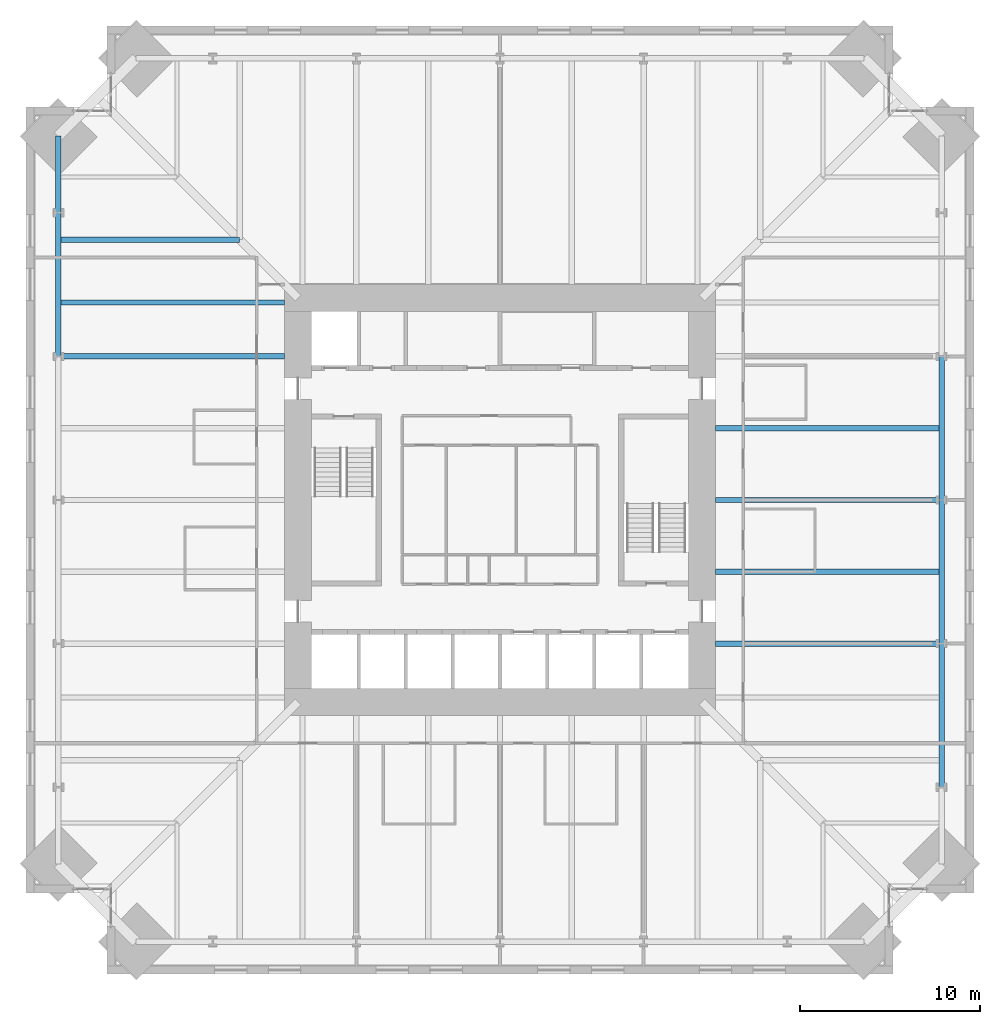
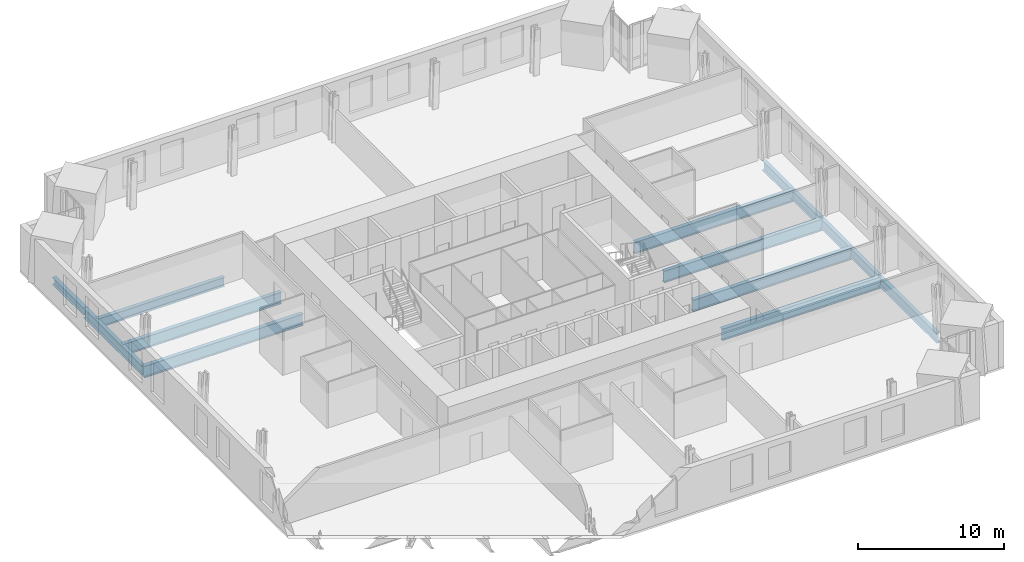
# One storey, part 5 of 18: 12 beams.
"""IFC4 building model written with IfcOpenShell, lengths in metres."""

from ifc_helpers import new_model, si_unit, direction, frame, origin, origin_2d, place, context, subcontext, project, spatial, i_section, extrude, material, material_profile, profile_set, type_object, element, save


model = new_model("IFC4")

# Units and contexts
model_context = context("Model", 3, precision=1e-05, world=origin(), true_north=direction((0.0, 1.0)))
body_context = subcontext(model_context, "Body", "Model", "MODEL_VIEW")
ifc_project = project(units=[si_unit("LENGTHUNIT", "METRE"), si_unit("AREAUNIT", "SQUARE_METRE"), si_unit("VOLUMEUNIT", "CUBIC_METRE"), si_unit("PLANEANGLEUNIT", "RADIAN"), si_unit("MASSUNIT", "GRAM", prefix="KILO")], contexts=[model_context])

# Site, building, storey
site_placement = place(None, origin())
site = spatial("IfcSite", under=ifc_project, at=site_placement, CompositionType="ELEMENT")
building_placement = place(site_placement, origin())
building = spatial("IfcBuilding", under=site, at=building_placement, Name="Peilmerk Tower", CompositionType="ELEMENT")
storey_placement = place(building_placement, frame((0.0, 0.0, 155.800048828125)))
storey = spatial("IfcBuildingStorey", under=building, at=storey_placement, Name="L32", CompositionType="ELEMENT", Elevation=155.800048828125)

# Beams
ifc_material = material(Name="Steel S355", Category="steel")
ifc_material_profile_1 = material_profile(ifc_material, i_section(OverallWidth=0.300048828125, OverallDepth=0.989990234375, WebThickness=0.0166015625, FlangeThickness=0.031005859375, at=origin_2d()), Name="HEA 1000")
ifc_profile_set_1 = profile_set([ifc_material_profile_1], Name="Steel S355")
beam_type_1 = type_object("IfcBeamType", Name="B14 HEA 1000 floor girder", PredefinedType="BEAM", material=ifc_profile_set_1)
for number, where, z_axis, x_axis, name in (
    (1, (12.0, -8.0, -0.6650390625), (1.0, 0.0, 0.0), (0.0, 1.0, 0.0), "Floor beam L32"),
    (2, (12.0, -4.0, -0.6650390625), (1.0, 0.0, 0.0), (0.0, 1.0, 0.0), "Floor beam L32"),
    (3, (12.0, 0.0, -0.6650390625), (1.0, 0.0, 0.0), (0.0, 1.0, 0.0), "Floor beam L32"),
    (4, (12.0, 4.0, -0.6650390625), (1.0, 0.0, 0.0), (0.0, 1.0, 0.0), "Floor beam L32"),
    (5, (-12.0, 11.0, -0.6650390625), (-1.0, 0.0, 0.0), (0.0, -1.0, 0.0), "Floor beam L32"),
    (6, (-12.0, 8.0, -0.6650390625), (-1.0, 0.0, 0.0), (0.0, -1.0, 0.0), "Floor beam L32"),
):
    element("IfcBeam", number, at=place(storey_placement, frame(where, z_axis=z_axis, x_axis=x_axis)), inside=storey, type_object=beam_type_1, Name=name, PredefinedType="BEAM", context=body_context, shape_type="SweptSolid", body=[
        extrude(i_section(OverallWidth=0.300048828125, OverallDepth=0.989990234375, WebThickness=0.0166015625, FlangeThickness=0.031005859375, at=origin_2d()), origin(), (0.0, 0.0, 1.0), 12.614501953125),
    ])
ifc_material_profile_2 = material_profile(ifc_material, i_section(OverallWidth=0.302978515625, OverallDepth=0.81396484375, WebThickness=0.02099609375, FlangeThickness=0.0400390625, at=origin_2d()), Name="HEM 800")
ifc_profile_set_2 = profile_set([ifc_material_profile_2], Name="Steel S355")
beam_type_2 = type_object("IfcBeamType", Name="B15 HEM 800 edge beam", PredefinedType="SPANDREL", material=ifc_profile_set_2)
for number, where, z_axis, x_axis, name in (
    (7, (24.614501953125, -16.0, -0.5771484375), (0.0, 1.0, 0.0), (-1.0, 0.0, 0.0), "Edge beam L32"),
    (8, (24.614501953125, -8.0, -0.5771484375), (0.0, 1.0, 0.0), (-1.0, 0.0, 0.0), "Edge beam L32"),
    (9, (24.614501953125, 0.0, -0.5771484375), (0.0, 1.0, 0.0), (-1.0, 0.0, 0.0), "Edge beam L32"),
    (10, (-24.614501953125, 16.0, -0.5771484375), (0.0, -1.0, 0.0), (1.0, 0.0, 0.0), "Edge beam L32"),
):
    element("IfcBeam", number, at=place(storey_placement, frame(where, z_axis=z_axis, x_axis=x_axis)), inside=storey, type_object=beam_type_2, Name=name, PredefinedType="SPANDREL", context=body_context, shape_type="SweptSolid", body=[
        extrude(i_section(OverallWidth=0.302978515625, OverallDepth=0.81396484375, WebThickness=0.02099609375, FlangeThickness=0.0400390625, at=origin_2d()), origin(), (0.0, 0.0, 1.0), 8.0),
    ])
ifc_material_profile_3 = material_profile(ifc_material, i_section(OverallWidth=0.300048828125, OverallDepth=0.7900390625, WebThickness=0.014892578125, FlangeThickness=0.028076171875, at=origin_2d()), Name="HEA 800")
ifc_profile_set_3 = profile_set([ifc_material_profile_3], Name="Steel S355")
beam_type_3 = type_object("IfcBeamType", Name="B3 HEA 800 floor beam", PredefinedType="BEAM", material=ifc_profile_set_3)
beam_1_placement = place(storey_placement, frame((-14.5, 14.5, -0.56494140625), z_axis=(-1.0, 0.0, 0.0), x_axis=(0.0, -1.0, 0.0)))
element("IfcBeam", 11, at=beam_1_placement, inside=storey, type_object=beam_type_3, Name="Floor beam L32", PredefinedType="BEAM", context=body_context, shape_type="SweptSolid", body=[
    extrude(i_section(OverallWidth=0.300048828125, OverallDepth=0.7900390625, WebThickness=0.014892578125, FlangeThickness=0.028076171875, at=origin_2d()), origin(), (0.0, 0.0, 1.0), 10.114501953125),
])
ifc_material_profile_4 = material_profile(ifc_material, i_section(OverallWidth=0.304931640625, OverallDepth=0.6201171875, WebThickness=0.02099609375, FlangeThickness=0.0400390625, at=origin_2d()), Name="HEM 600")
ifc_profile_set_4 = profile_set([ifc_material_profile_4], Name="Steel S355")
beam_type_4 = type_object("IfcBeamType", Name="B31 HEM 600 edge beam", PredefinedType="SPANDREL", material=ifc_profile_set_4)
beam_2_placement = place(storey_placement, frame((-24.614501953125, 20.264404296875, -0.47998046875), z_axis=(0.0, -1.0, 0.0), x_axis=(1.0, 0.0, 0.0)))
element("IfcBeam", 12, at=beam_2_placement, inside=storey, type_object=beam_type_4, Name="Edge beam L32", PredefinedType="SPANDREL", context=body_context, shape_type="SweptSolid", body=[
    extrude(i_section(OverallWidth=0.304931640625, OverallDepth=0.6201171875, WebThickness=0.02099609375, FlangeThickness=0.0400390625, at=origin_2d()), origin(), (0.0, 0.0, 1.0), 4.264404296875),
])

save(model, "model.ifc")
